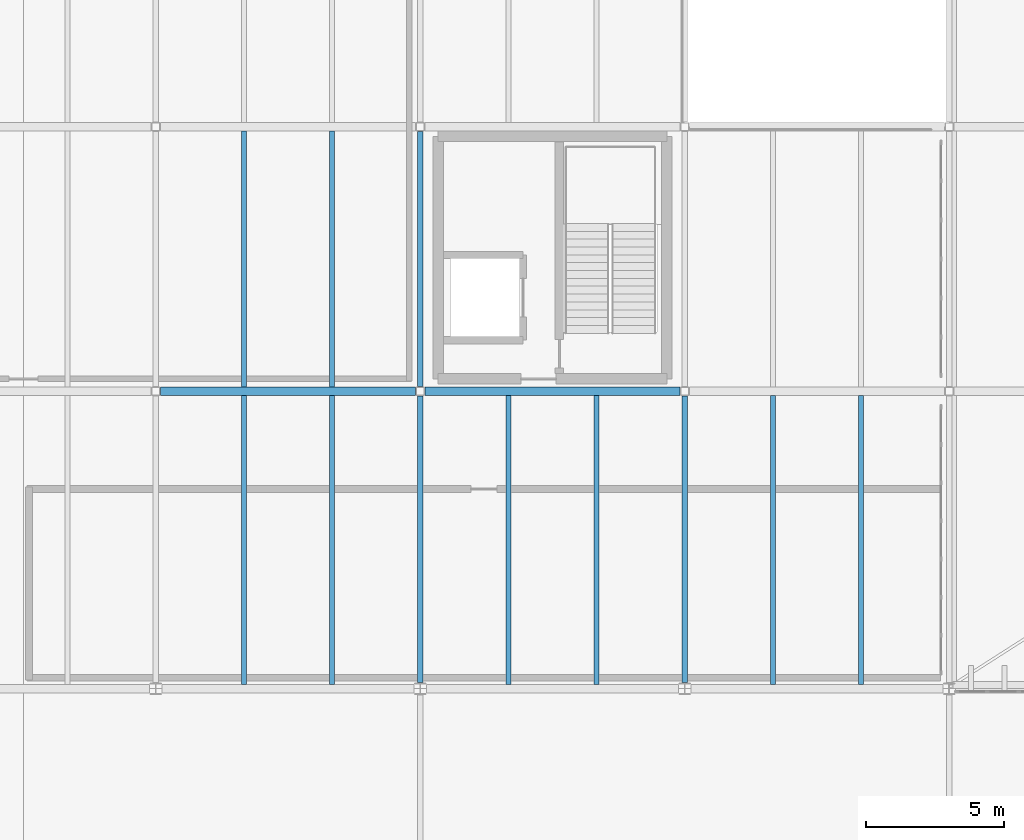
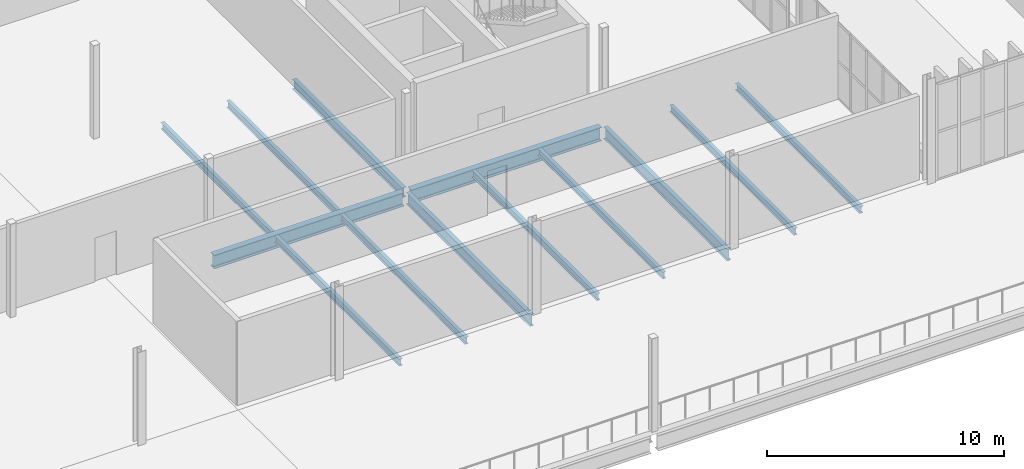
# One storey, part 48 of 112: 13 beams.
"""IFC4 building model written with IfcOpenShell, lengths in metres."""

from ifc_helpers import new_model, si_unit, direction, frame, origin, origin_2d, place, context, subcontext, project, spatial, i_section, extrude, material, material_profile, profile_set, type_object, element, save


model = new_model("IFC4")

# Units and contexts
model_context = context("Model", 3, precision=1e-05, world=origin(), true_north=direction((0.0, 1.0)))
body_context = subcontext(model_context, "Body", "Model", "MODEL_VIEW")
ifc_project = project(units=[si_unit("LENGTHUNIT", "METRE"), si_unit("AREAUNIT", "SQUARE_METRE"), si_unit("VOLUMEUNIT", "CUBIC_METRE"), si_unit("PLANEANGLEUNIT", "RADIAN"), si_unit("MASSUNIT", "GRAM", prefix="KILO")], contexts=[model_context])

# Site, building, storey
site_placement = place(None, origin())
site = spatial("IfcSite", under=ifc_project, at=site_placement, CompositionType="ELEMENT")
building_placement = place(site_placement, origin())
building = spatial("IfcBuilding", under=site, at=building_placement, Name="Yeouljin Market Hall", CompositionType="ELEMENT")
storey_placement = place(building_placement, frame((0.0, 0.0, 6.0)))
storey = spatial("IfcBuildingStorey", under=building, at=storey_placement, Name="L01", CompositionType="ELEMENT", Elevation=6.0)

# Beams
ifc_material_1 = material(Name="Steel SM355", Category="steel")
ifc_material_profile_1 = material_profile(ifc_material_1, i_section(OverallWidth=0.199951171875, OverallDepth=0.5, WebThickness=0.010009765625, FlangeThickness=0.01611328125, FilletRadius=0.02001953125, at=origin_2d()), Name="H-500x200x10x16")
ifc_profile_set_1 = profile_set([ifc_material_profile_1], Name="Steel SM355")
beam_type_1 = type_object("IfcBeamType", Name="Beam_H-500x200x10x16", PredefinedType="BEAM", material=ifc_profile_set_1)
beam_placement = place(storey_placement, frame((102.60009765625, 88.97509765625, -0.510009765625), z_axis=(0.0, 1.0, 0.0), x_axis=(-1.0, 0.0, 0.0)))
element("IfcBeam", 1, at=beam_placement, inside=storey, type_object=beam_type_1, Name="Primary beam BM-L01-Y187", PredefinedType="BEAM", context=body_context, shape_type="SweptSolid", body=[
    extrude(i_section(OverallWidth=0.199951171875, OverallDepth=0.5, WebThickness=0.010009765625, FlangeThickness=0.01611328125, FilletRadius=0.02001953125, at=origin_2d()), origin(), (0.0, 0.0, 1.0), 9.25),
])
ifc_material_2 = material(Name="Steel SM355", Category="steel")
ifc_material_profile_2 = material_profile(ifc_material_2, i_section(OverallWidth=0.199951171875, OverallDepth=0.60009765625, WebThickness=0.010986328125, FlangeThickness=0.01708984375, FilletRadius=0.02197265625, at=origin_2d()), Name="H-600x200x11x17")
ifc_profile_set_2 = profile_set([ifc_material_profile_2], Name="Steel SM355")
beam_type_2 = type_object("IfcBeamType", Name="Beam_H-600x200x11x17", PredefinedType="BEAM", material=ifc_profile_set_2)
for number, where, z_axis, x_axis, name in (
    (2, (102.60009765625, 78.22509765625, -0.56005859375), (0.0, 1.0, 0.0), (-1.0, 0.0, 0.0), "Primary beam BM-L01-Y186"),
    (3, (112.199951171875, 78.22509765625, -0.56005859375), (0.0, 1.0, 0.0), (-1.0, 0.0, 0.0), "Primary beam BM-L01-Y190"),
):
    element("IfcBeam", number, at=place(storey_placement, frame(where, z_axis=z_axis, x_axis=x_axis)), inside=storey, type_object=beam_type_2, Name=name, PredefinedType="BEAM", context=body_context, shape_type="SweptSolid", body=[
        extrude(i_section(OverallWidth=0.199951171875, OverallDepth=0.60009765625, WebThickness=0.010986328125, FlangeThickness=0.01708984375, FilletRadius=0.02197265625, at=origin_2d()), origin(), (0.0, 0.0, 1.0), 10.39990234375),
    ])
ifc_material_3 = material(Name="Steel SM355", Category="steel")
ifc_material_profile_3 = material_profile(ifc_material_3, i_section(OverallWidth=0.300048828125, OverallDepth=0.699951171875, WebThickness=0.012939453125, FlangeThickness=0.02392578125, FilletRadius=0.02587890625, at=origin_2d()), Name="H-700x300x13x24")
ifc_profile_set_3 = profile_set([ifc_material_profile_3], Name="Steel SM355")
beam_type_3 = type_object("IfcBeamType", Name="Girder_H-700x300x13x24", PredefinedType="USERDEFINED", material=ifc_profile_set_3)
for number, where, z_axis, x_axis, name in (
    (4, (93.175048828125, 88.800048828125, -0.610107421875), (1.0, 0.0, 0.0), (0.0, 1.0, 0.0), "Primary girder GRD-L01-X101"),
    (5, (102.77490234375, 88.800048828125, -0.610107421875), (1.0, 0.0, 0.0), (0.0, 1.0, 0.0), "Primary girder GRD-L01-X102"),
):
    element("IfcBeam", number, at=place(storey_placement, frame(where, z_axis=z_axis, x_axis=x_axis)), inside=storey, type_object=beam_type_3, Name=name, ObjectType="GIRDER", PredefinedType="USERDEFINED", context=body_context, shape_type="SweptSolid", body=[
        extrude(i_section(OverallWidth=0.300048828125, OverallDepth=0.699951171875, WebThickness=0.012939453125, FlangeThickness=0.02392578125, FilletRadius=0.02587890625, at=origin_2d()), origin(), (0.0, 0.0, 1.0), 9.25),
    ])
ifc_material_4 = material(Name="Steel SM355", Category="steel")
ifc_material_profile_4 = material_profile(ifc_material_4, i_section(OverallWidth=0.175048828125, OverallDepth=0.35009765625, WebThickness=0.007080078125, FlangeThickness=0.010986328125, FilletRadius=0.013916015625, at=origin_2d()), Name="H-350x175x7x11")
ifc_profile_set_4 = profile_set([ifc_material_profile_4], Name="Steel SM355")
beam_type_4 = type_object("IfcBeamType", Name="Joist_H-350x175x7x11", PredefinedType="JOIST", material=ifc_profile_set_4)
for number, where, z_axis, x_axis, name in (
    (6, (96.199951171875, 78.14697265625, -0.445068359375), (0.0, 1.0, 0.0), (-1.0, 0.0, 0.0), "Secondary floor joist L01-064"),
    (7, (99.39990234375, 78.14697265625, -0.445068359375), (0.0, 1.0, 0.0), (-1.0, 0.0, 0.0), "Secondary floor joist L01-065"),
):
    element("IfcBeam", number, at=place(storey_placement, frame(where, z_axis=z_axis, x_axis=x_axis)), inside=storey, type_object=beam_type_4, Name=name, PredefinedType="JOIST", context=body_context, shape_type="SweptSolid", body=[
        extrude(i_section(OverallWidth=0.175048828125, OverallDepth=0.35009765625, WebThickness=0.007080078125, FlangeThickness=0.010986328125, FilletRadius=0.013916015625, at=origin_2d()), origin(), (0.0, 0.0, 1.0), 10.506103515625),
    ])
for number, where, z_axis, x_axis, name in (
    (8, (96.199951171875, 88.947021484375, -0.43505859375), (0.0, 1.0, 0.0), (-1.0, 0.0, 0.0), "Secondary floor joist L01-066"),
    (9, (99.39990234375, 88.947021484375, -0.43505859375), (0.0, 1.0, 0.0), (-1.0, 0.0, 0.0), "Secondary floor joist L01-067"),
):
    element("IfcBeam", number, at=place(storey_placement, frame(where, z_axis=z_axis, x_axis=x_axis)), inside=storey, type_object=beam_type_4, Name=name, PredefinedType="JOIST", context=body_context, shape_type="SweptSolid", body=[
        extrude(i_section(OverallWidth=0.175048828125, OverallDepth=0.35009765625, WebThickness=0.007080078125, FlangeThickness=0.010986328125, FilletRadius=0.013916015625, at=origin_2d()), origin(), (0.0, 0.0, 1.0), 9.305908203125),
    ])
for number, where, z_axis, x_axis, name in (
    (10, (105.800048828125, 78.14697265625, -0.445068359375), (0.0, 1.0, 0.0), (-1.0, 0.0, 0.0), "Secondary floor joist L01-070"),
    (11, (109.0, 78.14697265625, -0.445068359375), (0.0, 1.0, 0.0), (-1.0, 0.0, 0.0), "Secondary floor joist L01-071"),
    (12, (115.39990234375, 78.14697265625, -0.445068359375), (0.0, 1.0, 0.0), (-1.0, 0.0, 0.0), "Secondary floor joist L01-076"),
    (13, (118.60009765625, 78.14697265625, -0.445068359375), (0.0, 1.0, 0.0), (-1.0, 0.0, 0.0), "Secondary floor joist L01-077"),
):
    element("IfcBeam", number, at=place(storey_placement, frame(where, z_axis=z_axis, x_axis=x_axis)), inside=storey, type_object=beam_type_4, Name=name, PredefinedType="JOIST", context=body_context, shape_type="SweptSolid", body=[
        extrude(i_section(OverallWidth=0.175048828125, OverallDepth=0.35009765625, WebThickness=0.007080078125, FlangeThickness=0.010986328125, FilletRadius=0.013916015625, at=origin_2d()), origin(), (0.0, 0.0, 1.0), 10.506103515625),
    ])

save(model, "model.ifc")
